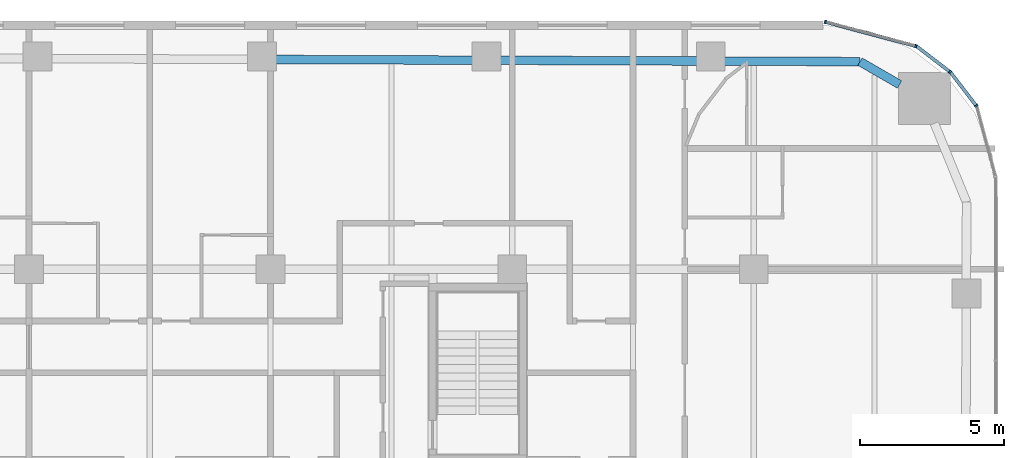
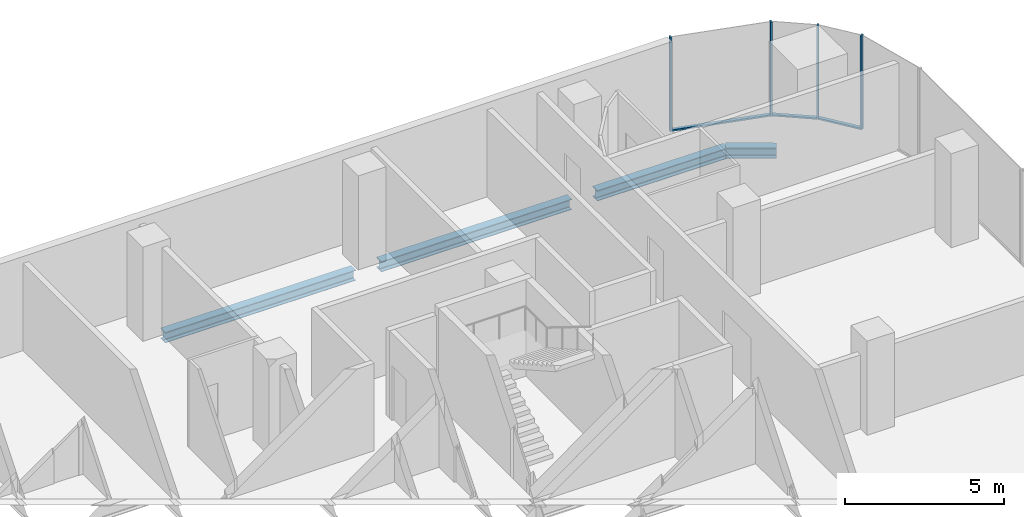
# One storey, part 14 of 27: 7 members, 4 beams, 3 elements without a shape of their own.
"""IFC4 building model written with IfcOpenShell, lengths in metres."""

from ifc_helpers import new_model, si_unit, direction, frame, origin, origin_2d, place, context, subcontext, project, spatial, rectangle, i_section, extrude, material, layer, layer_set, material_profile, profile_set, type_object, element, aggregate, save


model = new_model("IFC4")

# Units and contexts
model_context = context("Model", 3, precision=1e-05, world=origin(), true_north=direction((0.0, 1.0)))
body_context = subcontext(model_context, "Body", "Model", "MODEL_VIEW")
ifc_project = project(units=[si_unit("LENGTHUNIT", "METRE"), si_unit("AREAUNIT", "SQUARE_METRE"), si_unit("VOLUMEUNIT", "CUBIC_METRE"), si_unit("PLANEANGLEUNIT", "RADIAN"), si_unit("MASSUNIT", "GRAM", prefix="KILO")], contexts=[model_context])

# Site, building, storey
site_placement = place(None, origin())
site = spatial("IfcSite", under=ifc_project, at=site_placement, CompositionType="ELEMENT")
building_placement = place(site_placement, origin())
building = spatial("IfcBuilding", under=site, at=building_placement, Name="Marenta Gate Hotel Tower", CompositionType="ELEMENT")
storey_placement = place(building_placement, frame((0.0, 0.0, 36.5)))
storey = spatial("IfcBuildingStorey", under=building, at=storey_placement, Name="L06", CompositionType="ELEMENT", Elevation=36.5)

# Beams
ifc_material_1 = material(Name="Steel S355", Category="steel")
ifc_material_profile_1 = material_profile(ifc_material_1, i_section(OverallWidth=0.300048828125, OverallDepth=0.39990234375, WebThickness=0.013427734375, FlangeThickness=0.02392578125, FilletRadius=0.027099609375, at=origin_2d()), Name="HEB 400")
ifc_profile_set_1 = profile_set([ifc_material_profile_1], Name="Steel S355")
beam_type = type_object("IfcBeamType", Name="Edge beam HEB 400", PredefinedType="SPANDREL", material=ifc_profile_set_1)
for number, where, z_axis, x_axis, name in (
    (1, (4.361328125, 32.4970703125, -0.35009765625), (0.999993064268, -0.003724435008, 0.0), (0.003724435008, 0.999993064268, 0.0), "L06-EB-17"),
    (2, (12.1640625, 32.468017578125, -0.35009765625), (0.999993064268, -0.003724435008, 0.0), (0.003724435008, 0.999993064268, 0.0), "L06-EB-18"),
):
    element("IfcBeam", number, at=place(storey_placement, frame(where, z_axis=z_axis, x_axis=x_axis)), inside=storey, type_object=beam_type, Name=name, PredefinedType="SPANDREL", context=body_context, shape_type="SweptSolid", body=[
        extrude(i_section(OverallWidth=0.300048828125, OverallDepth=0.39990234375, WebThickness=0.013427734375, FlangeThickness=0.02392578125, FilletRadius=0.027099609375, at=origin_2d()), origin(), (0.0, 0.0, 1.0), 6.8828125),
    ])
beam_1_placement = place(storey_placement, frame((19.966796875, 32.43896484375, -0.35009765625), z_axis=(0.999993080272, -0.003720135464, 0.0), x_axis=(0.003720135464, 0.999993080272, 0.0)))
element("IfcBeam", 3, at=beam_1_placement, inside=storey, type_object=beam_type, Name="L06-EB-19", PredefinedType="SPANDREL", context=body_context, shape_type="SweptSolid", body=[
    extrude(i_section(OverallWidth=0.300048828125, OverallDepth=0.39990234375, WebThickness=0.013427734375, FlangeThickness=0.02392578125, FilletRadius=0.027099609375, at=origin_2d()), origin(), (0.0, 0.0, 1.0), 4.72509765625),
])
beam_2_placement = place(storey_placement, frame((24.69189453125, 32.42138671875, -0.35009765625), z_axis=(0.865968422476, -0.500098681536, 0.0), x_axis=(0.500098681536, 0.865968422476, 0.0)))
element("IfcBeam", 4, at=beam_2_placement, inside=storey, type_object=beam_type, Name="L06-EB-20", PredefinedType="SPANDREL", context=body_context, shape_type="SweptSolid", body=[
    extrude(i_section(OverallWidth=0.300048828125, OverallDepth=0.39990234375, WebThickness=0.013427734375, FlangeThickness=0.02392578125, FilletRadius=0.027099609375, at=origin_2d()), origin(), (0.0, 0.0, 1.0), 1.591552734375),
])

# Curtain wall, member
ifc_material_2 = material(Name="Tinted insulated glass in bronze anodised frame", Category="glass")
ifc_layer = layer(ifc_material_2, 0.1201171875)
ifc_layer_set = layer_set([ifc_layer], Name="Tinted insulated glass in bronze anodised frame")
curtain_wall_type = type_object("IfcCurtainWallType", Name="Tower unitised curtain wall CW1", PredefinedType="NOTDEFINED", material=ifc_layer_set)
curtain_wall_1_placement = place(storey_placement, origin())
curtain_wall_1 = element("IfcCurtainWall", 5, at=curtain_wall_1_placement, inside=storey, type_object=curtain_wall_type, Name="CW1 run G13", PredefinedType="NOTDEFINED")
ifc_material_3 = material(Name="Bronze anodised aluminium", Category="aluminium")
ifc_material_profile_2 = material_profile(ifc_material_3, rectangle(XDim=0.1201171875, YDim=0.06005859375, at=origin_2d()), Name="Mullion CW1 60x120 bronze anodised aluminium")
ifc_profile_set_2 = profile_set([ifc_material_profile_2], Name="Bronze anodised aluminium")
member_type_1 = type_object("IfcMemberType", Name="Mullion CW1 60x120 bronze anodised aluminium", PredefinedType="MULLION", material=ifc_profile_set_2)
member_1_placement = place(storey_placement, frame((28.733154296875, 30.888916015625, 0.0), z_axis=(0.0, 0.0, 1.0), x_axis=(-0.79333801153, -0.608781405318, 0.0)))
member_1 = element("IfcMember", 6, at=member_1_placement, type_object=member_type_1, Name="CW1 mullion 1", PredefinedType="MULLION", context=body_context, shape_type="SweptSolid", body=[
    extrude(rectangle(XDim=0.1201171875, YDim=0.06005859375, at=origin_2d()), origin(), (0.0, 0.0, 1.0), 3.60009765625),
])

curtain_wall_2_placement = place(storey_placement, origin())
curtain_wall_2 = element("IfcCurtainWall", 7, at=curtain_wall_2_placement, inside=storey, type_object=curtain_wall_type, Name="CW1 run G14", PredefinedType="NOTDEFINED")
member_2_placement = place(storey_placement, frame((27.82177734375, 32.063720703125, 0.0), z_axis=(0.0, 0.0, 1.0), x_axis=(-0.608781405318, -0.79333801153, 0.0)))
member_2 = element("IfcMember", 8, at=member_2_placement, type_object=member_type_1, Name="CW1 mullion 1", PredefinedType="MULLION", context=body_context, shape_type="SweptSolid", body=[
    extrude(rectangle(XDim=0.1201171875, YDim=0.06005859375, at=origin_2d()), origin(), (0.0, 0.0, 1.0), 3.60009765625),
])

# Curtain wall, members
curtain_wall_3_placement = place(storey_placement, origin())
curtain_wall_3 = element("IfcCurtainWall", 9, at=curtain_wall_3_placement, inside=storey, type_object=curtain_wall_type, Name="CW1 run G15", PredefinedType="NOTDEFINED")
member_3_placement = place(storey_placement, frame((26.63623046875, 32.958984375, 0.0), z_axis=(0.0, 0.0, 1.0), x_axis=(-0.258807310344, -0.965928970532, 0.0)))
member_3 = element("IfcMember", 10, at=member_3_placement, type_object=member_type_1, Name="CW1 mullion 1", PredefinedType="MULLION", context=body_context, shape_type="SweptSolid", body=[
    extrude(rectangle(XDim=0.1201171875, YDim=0.06005859375, at=origin_2d()), origin(), (0.0, 0.0, 1.0), 3.60009765625),
])
member_4_placement = place(storey_placement, frame((23.485595703125, 33.80322265625, 0.0), z_axis=(0.0, 0.0, 1.0), x_axis=(-0.258807310344, -0.965928970532, 0.0)))
member_4 = element("IfcMember", 11, at=member_4_placement, type_object=member_type_1, Name="CW1 mullion 2", PredefinedType="MULLION", context=body_context, shape_type="SweptSolid", body=[
    extrude(rectangle(XDim=0.1201171875, YDim=0.06005859375, at=origin_2d()), origin(), (0.0, 0.0, 1.0), 3.60009765625),
])

# Member
ifc_material_4 = material(Name="Bronze anodised aluminium", Category="aluminium")
ifc_material_profile_3 = material_profile(ifc_material_4, rectangle(XDim=0.1201171875, YDim=0.06005859375, at=origin_2d()), Name="Transom CW1 60x120 bronze anodised aluminium")
ifc_profile_set_3 = profile_set([ifc_material_profile_3], Name="Bronze anodised aluminium")
member_type_2 = type_object("IfcMemberType", Name="Transom CW1 60x120 bronze anodised aluminium", PredefinedType="USERDEFINED", material=ifc_profile_set_3)
member_5_placement = place(storey_placement, frame((28.71484375, 30.91259765625, 0.030029296875), z_axis=(-0.60882629199, 0.793303564963, 0.0), x_axis=(-0.793303564963, -0.60882629199, 0.0)))
member_5 = element("IfcMember", 12, at=member_5_placement, type_object=member_type_2, Name="CW1 transom 1.1", ObjectType="TRANSOM", PredefinedType="USERDEFINED", context=body_context, shape_type="SweptSolid", body=[
    extrude(rectangle(XDim=0.1201171875, YDim=0.06005859375, at=origin_2d()), origin(), (0.0, 0.0, 1.0), 1.427978515625),
])

aggregate(curtain_wall_1, [member_1, member_5])

member_6_placement = place(storey_placement, frame((27.7978515625, 32.08203125, 0.030029296875), z_axis=(-0.793303564963, 0.60882629199, 0.0), x_axis=(-0.60882629199, -0.793303564963, 0.0)))
member_6 = element("IfcMember", 13, at=member_6_placement, type_object=member_type_2, Name="CW1 transom 1.1", ObjectType="TRANSOM", PredefinedType="USERDEFINED", context=body_context, shape_type="SweptSolid", body=[
    extrude(rectangle(XDim=0.1201171875, YDim=0.06005859375, at=origin_2d()), origin(), (0.0, 0.0, 1.0), 1.427978515625),
])

aggregate(curtain_wall_2, [member_2, member_6])

member_7_placement = place(storey_placement, frame((26.607177734375, 32.966796875, 0.030029296875), z_axis=(-0.965933076693, 0.258791984709, 0.0), x_axis=(-0.258791984709, -0.965933076693, 0.0)))
member_7 = element("IfcMember", 14, at=member_7_placement, type_object=member_type_2, Name="CW1 transom 1.1", ObjectType="TRANSOM", PredefinedType="USERDEFINED", context=body_context, shape_type="SweptSolid", body=[
    extrude(rectangle(XDim=0.1201171875, YDim=0.06005859375, at=origin_2d()), origin(), (0.0, 0.0, 1.0), 3.201904296875),
])

aggregate(curtain_wall_3, [member_3, member_4, member_7])

save(model, "model.ifc")
